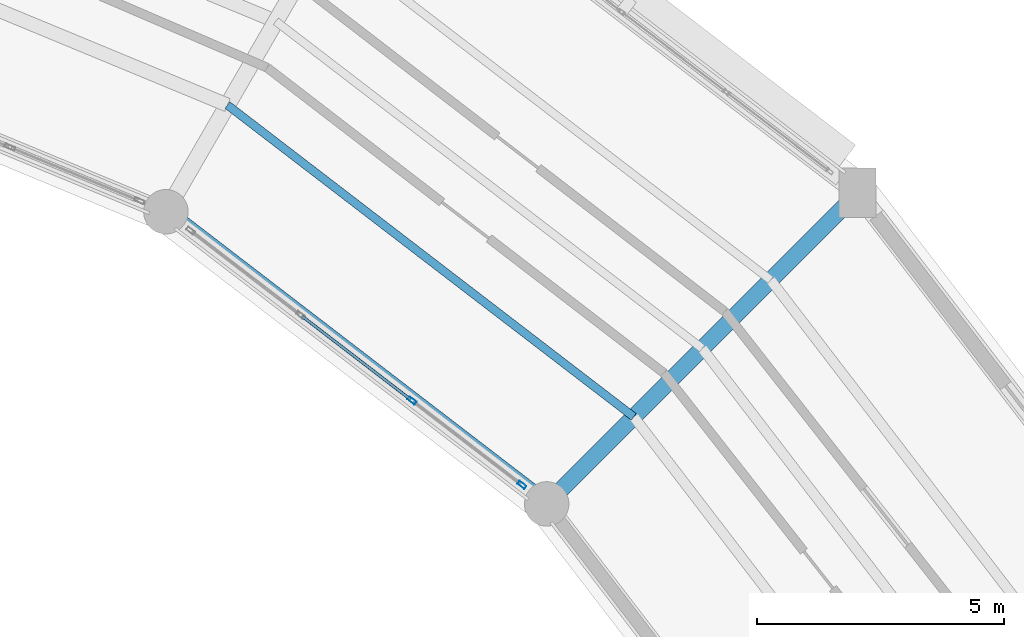
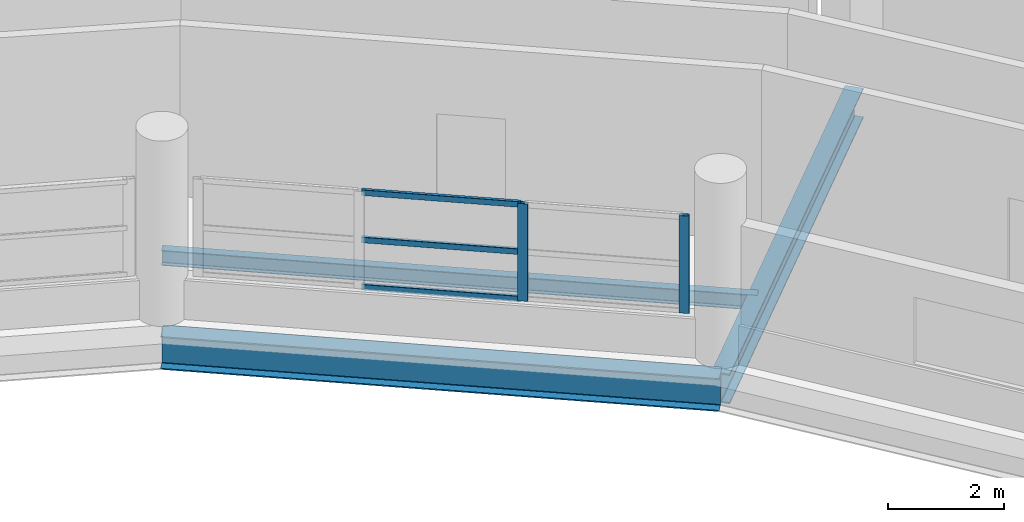
# One storey, part 69 of 108: 5 members, 3 beams, 1 element without a shape of its own.
"""IFC4 building model written with IfcOpenShell, lengths in metres."""

import ifcopenshell
import ifcopenshell.guid

model = None  # the IFC model being written
_history = None  # IfcOwnerHistory: only IFC2X3 demands one
_inside = {}  # id of a spatial element -> (the spatial element, [elements in it])
_under = {}  # id of a project, library or spatial element -> (it, [spatial elements below it])
_declared = {}  # id of a project -> (the project, [libraries it declares])
_typed = {}  # id of a type object -> (the type object, [elements of that type])
_made_of = {}  # id of a material, layer set ... -> (it, [elements and type objects made of it])


def new_model(schema):
    """Start an empty IFC model of exactly this schema.

    Asked for "IFC4X3", IfcOpenShell would pick the latest addendum, in which some entities
    have other attributes; the version numbers below select the first issue.
    IFC2X3 requires an IfcOwnerHistory on every rooted entity: one is made here for all.
    """
    global model, _history
    if schema == "IFC4X3":
        model = ifcopenshell.file(schema_version=(4, 3, 0, 0))
    else:
        model = ifcopenshell.file(schema=schema)
    _inside.clear()
    _under.clear()
    _declared.clear()
    _typed.clear()
    _made_of.clear()
    _history = None
    if model.schema == "IFC2X3":
        org = make("IfcOrganization", Name="unknown")
        user = make(
            "IfcPersonAndOrganization",
            ThePerson=make("IfcPerson", FamilyName="unknown"),
            TheOrganization=org,
        )
        app = make(
            "IfcApplication",
            ApplicationDeveloper=org,
            Version="unknown",
            ApplicationFullName="unknown",
            ApplicationIdentifier="unknown",
        )
        _history = make(
            "IfcOwnerHistory",
            OwningUser=user,
            OwningApplication=app,
            ChangeAction="ADDED",
            CreationDate=0,
        )
    return model


def make(cls, **values):
    """One entity of the class cls with the attributes given. An attribute that is None is left unset."""
    return model.create_entity(
        cls, **{name: value for name, value in values.items() if value is not None}
    )


def rooted(cls, **values):
    """An entity with a GlobalId (a new one), such as an element, a storey or a relation."""
    return make(cls, GlobalId=ifcopenshell.guid.new(), OwnerHistory=_history, **values)


def si_unit(unit_type, name, prefix=None):
    """IfcSIUnit, for example si_unit("LENGTHUNIT", "METRE", prefix="MILLI")."""
    return make("IfcSIUnit", UnitType=unit_type, Prefix=prefix, Name=name)


def assignment(units):
    """IfcUnitAssignment: the units of a project."""
    return None if units is None else make("IfcUnitAssignment", Units=units)


def point(xyz):
    """IfcCartesianPoint."""
    return None if xyz is None else make("IfcCartesianPoint", Coordinates=xyz)


def direction(xyz):
    """IfcDirection."""
    return None if xyz is None else make("IfcDirection", DirectionRatios=xyz)


def frame(location, z_axis=None, x_axis=None):
    """IfcAxis2Placement3D, a coordinate frame: its origin and axes. An axis left out is left unset."""
    return make(
        "IfcAxis2Placement3D",
        Location=point(location),
        Axis=direction(z_axis),
        RefDirection=direction(x_axis),
    )


def frame_2d(location, x_axis=None):
    """IfcAxis2Placement2D, a coordinate frame in the plane: its origin and x axis."""
    return make(
        "IfcAxis2Placement2D", Location=point(location), RefDirection=direction(x_axis)
    )


def origin():
    """The frame at (0, 0, 0) with its axes left unset."""
    return frame((0.0, 0.0, 0.0))


def origin_2d():
    """The frame at (0, 0) in the plane with its x axis left unset."""
    return frame_2d((0.0, 0.0))


def place(relative_to, where):
    """IfcLocalPlacement: puts the frame where relative to a parent placement (None: the world)."""
    return make(
        "IfcLocalPlacement", PlacementRelTo=relative_to, RelativePlacement=where
    )


def context(
    kind, dimensions, precision=None, world=None, true_north=None, identifier=None
):
    """IfcGeometricRepresentationContext, for example the 3D "Model" context."""
    return make(
        "IfcGeometricRepresentationContext",
        ContextIdentifier=identifier,
        ContextType=kind,
        CoordinateSpaceDimension=dimensions,
        Precision=precision,
        WorldCoordinateSystem=world,
        TrueNorth=true_north,
    )


def subcontext(parent, identifier, kind, view, scale=None):
    """IfcGeometricRepresentationSubContext, for example "Body" below "Model"."""
    return make(
        "IfcGeometricRepresentationSubContext",
        ContextIdentifier=identifier,
        ContextType=kind,
        ParentContext=parent,
        TargetScale=scale,
        TargetView=view,
    )


def project(units=None, contexts=None):
    """IfcProject with its units and contexts."""
    return rooted(
        "IfcProject",
        Name="project",
        RepresentationContexts=contexts,
        UnitsInContext=assignment(units),
    )


def spatial(cls, under=None, at=None, **own):
    """A site, building, storey or space (cls), placed at a placement, below another one or the project."""
    s = rooted(cls, ObjectPlacement=at, **own)
    if under is not None:
        _under.setdefault(under.id(), (under, []))[1].append(s)
    return s


def profile(cls, at=None, kind="AREA", **sizes):
    """A parametric profile (cls). Its sizes go by their IFC names, for example OverallWidth=200.0."""
    return make(cls, ProfileType=kind, Position=at, **sizes)


def hollow_rectangle(**sizes):
    """IfcRectangleHollowProfileDef."""
    return profile("IfcRectangleHollowProfileDef", **sizes)


def i_section(**sizes):
    """IfcIShapeProfileDef."""
    return profile("IfcIShapeProfileDef", **sizes)


def extrude(swept, where, along, depth):
    """IfcExtrudedAreaSolid: the profile swept, set in the frame where, extruded along a direction by depth."""
    return make(
        "IfcExtrudedAreaSolid",
        SweptArea=swept,
        Position=where,
        ExtrudedDirection=direction(along),
        Depth=depth,
    )


def shape(context_of_items, identifier, shape_type, items):
    """IfcShapeRepresentation: the items that make up one representation, for example the "Body"."""
    return make(
        "IfcShapeRepresentation",
        ContextOfItems=context_of_items,
        RepresentationIdentifier=identifier,
        RepresentationType=shape_type,
        Items=items,
    )


def material(Name=None, Category=None):
    """IfcMaterial."""
    return make("IfcMaterial", Name=Name, Category=Category)


def layer(
    of_material, thickness, ventilated=None, Name=None, Category=None, Priority=None
):
    """IfcMaterialLayer: one layer of a wall or slab, of a material (None: an air gap)."""
    return make(
        "IfcMaterialLayer",
        Material=of_material,
        LayerThickness=thickness,
        IsVentilated=ventilated,
        Name=Name,
        Category=Category,
        Priority=Priority,
    )


def layer_set(layers, Name=None):
    """IfcMaterialLayerSet."""
    return make("IfcMaterialLayerSet", MaterialLayers=layers, LayerSetName=Name)


def material_profile(
    of_material, cross_section, Name=None, Category=None, Priority=None
):
    """IfcMaterialProfile: a cross section and its material."""
    return make(
        "IfcMaterialProfile",
        Name=Name,
        Material=of_material,
        Profile=cross_section,
        Priority=Priority,
        Category=Category,
    )


def profile_set(profiles, Name=None, composite=None):
    """IfcMaterialProfileSet."""
    return make(
        "IfcMaterialProfileSet",
        Name=Name,
        MaterialProfiles=profiles,
        CompositeProfile=composite,
    )


def made_of(thing, what):
    """Note that an element or type object is made of a material, layer set ...; save() writes the relation."""
    if what is not None:
        _made_of.setdefault(what.id(), (what, []))[1].append(thing)
    return thing


def type_object(cls, material=None, **own):
    """A type object (cls), such as IfcWallType, which elements share."""
    return made_of(rooted(cls, **own), material)


def element(
    cls,
    number,
    at=None,
    inside=None,
    cuts=None,
    type_object=None,
    material=None,
    context=None,
    identifier="Body",
    shape_type=None,
    held_by="IfcProductDefinitionShape",
    body=None,
    shapes=None,
    **own,
):
    """One element of the class cls, such as IfcWall. Its Tag is "e" and its number.

    at: its placement. inside: the storey or other place that contains it. cuts: it is an
    opening in that element (IfcRelVoidsElement). A single representation is given by context,
    identifier, shape_type and body (its items); several are given by shapes. held_by: the class
    of the entity that holds the representations. save() writes the other relations.
    """
    e = rooted(cls, Tag="e%d" % number, ObjectPlacement=at, **own)
    if body is not None:
        shapes = [shape(context, identifier, shape_type, body)]
    if shapes is not None:
        e.Representation = make(held_by, Representations=shapes)
    if inside is not None:
        _inside.setdefault(inside.id(), (inside, []))[1].append(e)
    if cuts is not None:
        rooted(
            "IfcRelVoidsElement", RelatingBuildingElement=cuts, RelatedOpeningElement=e
        )
    if type_object is not None:
        _typed.setdefault(type_object.id(), (type_object, []))[1].append(e)
    return made_of(e, material)


def aggregate(whole, parts):
    """IfcRelAggregates: a whole, such as a stair, and the parts it consists of."""
    return rooted("IfcRelAggregates", RelatingObject=whole, RelatedObjects=parts)


def save(model, path):
    """Write the relations noted so far, then the file.

    IfcRelAggregates (storeys below a building ...), IfcRelContainedInSpatialStructure (elements
    in a storey), IfcRelDefinesByType, IfcRelAssociatesMaterial and IfcRelDeclares: one each for
    every whole, place, type object, material and project.
    """
    for whole, parts in _under.values():
        aggregate(whole, parts)
    for where, things in _inside.values():
        rooted(
            "IfcRelContainedInSpatialStructure",
            RelatedElements=things,
            RelatingStructure=where,
        )
    for kind, things in _typed.values():
        rooted("IfcRelDefinesByType", RelatedObjects=things, RelatingType=kind)
    for what, things in _made_of.values():
        rooted("IfcRelAssociatesMaterial", RelatedObjects=things, RelatingMaterial=what)
    for by, libraries in _declared.values():
        rooted("IfcRelDeclares", RelatingContext=by, RelatedDefinitions=libraries)
    model.write(path)


model = new_model("IFC4")

# Units and contexts
model_context = context("Model", 3, precision=1e-05, world=origin(), true_north=direction((0.0, 1.0)))
body_context = subcontext(model_context, "Body", "Model", "MODEL_VIEW")
ifc_project = project(units=[si_unit("LENGTHUNIT", "METRE"), si_unit("AREAUNIT", "SQUARE_METRE"), si_unit("VOLUMEUNIT", "CUBIC_METRE"), si_unit("PLANEANGLEUNIT", "RADIAN"), si_unit("MASSUNIT", "GRAM", prefix="KILO")], contexts=[model_context])

# Site, building, storey
site_placement = place(None, origin())
site = spatial("IfcSite", under=ifc_project, at=site_placement, CompositionType="ELEMENT")
building_placement = place(site_placement, origin())
building = spatial("IfcBuilding", under=site, at=building_placement, Name="Vespera Passage Community Centre", CompositionType="ELEMENT")
storey_placement = place(building_placement, frame((0.0, 0.0, 12.60009765625)))
storey = spatial("IfcBuildingStorey", under=building, at=storey_placement, Name="L03", CompositionType="ELEMENT", Elevation=12.60009765625)

# Beams
ifc_material_1 = material(Name="Steel ASTM A992 Grade 50", Category="steel")
ifc_material_profile_1 = material_profile(ifc_material_1, i_section(OverallWidth=0.32763671875, OverallDepth=0.62841796875, WebThickness=0.0166015625, FlangeThickness=0.027587890625, FilletRadius=0.0126953125, at=origin_2d()), Name="W24X146")
ifc_profile_set_1 = profile_set([ifc_material_profile_1], Name="Steel ASTM A992 Grade 50")
beam_type_1 = type_object("IfcBeamType", Name="BM-G-W24X146", PredefinedType="BEAM", material=ifc_profile_set_1)
beam_1_placement = place(storey_placement, frame((104.304443359375, 91.804443359375, -0.71435546875), z_axis=(0.707106781187, 0.707106781187, 0.0), x_axis=(-0.707106781187, 0.707106781187, 0.0)))
element("IfcBeam", 1, at=beam_1_placement, inside=storey, type_object=beam_type_1, Name="V4 L03 Radial Girder 3", PredefinedType="BEAM", context=body_context, shape_type="SweptSolid", body=[
    extrude(i_section(OverallWidth=0.32763671875, OverallDepth=0.62841796875, WebThickness=0.0166015625, FlangeThickness=0.027587890625, FilletRadius=0.0126953125, at=origin_2d()), origin(), (0.0, 0.0, 1.0), 8.89990234375),
])
ifc_material_2 = material(Name="Steel ASTM A992 Grade 50", Category="steel")
ifc_material_profile_2 = material_profile(ifc_material_2, i_section(OverallWidth=0.16650390625, OverallDepth=0.3173828125, WebThickness=0.007568359375, FlangeThickness=0.01318359375, FilletRadius=0.007568359375, at=origin_2d()), Name="W12X35")
ifc_profile_set_2 = profile_set([ifc_material_profile_2], Name="Steel ASTM A992 Grade 50")
beam_type_2 = type_object("IfcBeamType", Name="BM-J-W12X35", PredefinedType="JOIST", material=ifc_profile_set_2)
beam_2_placement = place(storey_placement, frame((106.06640625, 93.56640625, -0.558837890625), z_axis=(-0.793349551049, 0.608766367214, 0.0), x_axis=(-0.608766367214, -0.793349551049, 0.0)))
element("IfcBeam", 2, at=beam_2_placement, inside=storey, type_object=beam_type_2, Name="V4 L03 Floor Joist 3.1", PredefinedType="JOIST", context=body_context, shape_type="SweptSolid", body=[
    extrude(i_section(OverallWidth=0.16650390625, OverallDepth=0.3173828125, WebThickness=0.007568359375, FlangeThickness=0.01318359375, FilletRadius=0.007568359375, at=origin_2d()), origin(), (0.0, 0.0, 1.0), 10.36181640625),
])
ifc_material_3 = material(Name="Steel ASTM A992 Grade 50", Category="steel")
ifc_material_profile_3 = material_profile(ifc_material_3, i_section(OverallWidth=0.3544921875, OverallDepth=0.695556640625, WebThickness=0.015380859375, FlangeThickness=0.024658203125, FilletRadius=0.01513671875, at=origin_2d()), Name="W27X146")
ifc_profile_set_3 = profile_set([ifc_material_profile_3], Name="Steel ASTM A992 Grade 50")
beam_type_3 = type_object("IfcBeamType", Name="BM-SP-W27X146E", PredefinedType="SPANDREL", material=ifc_profile_set_3)
beam_3_placement = place(storey_placement, frame((104.304443359375, 91.804443359375, -0.747802734375), z_axis=(-0.793359869694, 0.60875291963, 0.0), x_axis=(-0.60875291963, -0.793359869694, 0.0)))
element("IfcBeam", 3, at=beam_3_placement, inside=storey, type_object=beam_type_3, Name="V4 L03 Inner Spandrel 3", PredefinedType="SPANDREL", context=body_context, shape_type="SweptSolid", body=[
    extrude(i_section(OverallWidth=0.3544921875, OverallDepth=0.695556640625, WebThickness=0.015380859375, FlangeThickness=0.024658203125, FilletRadius=0.01513671875, at=origin_2d()), origin(), (0.0, 0.0, 1.0), 9.7109375),
])

# Curtain wall, members
ifc_material_4 = material(Name="Anodized aluminium 6063-T6", Category="aluminium")
ifc_layer = layer(ifc_material_4, 0.159912109375)
ifc_layer_set = layer_set([ifc_layer], Name="Anodized aluminium 6063-T6")
curtain_wall_type = type_object("IfcCurtainWallType", Name="CW-38E", PredefinedType="NOTDEFINED", material=ifc_layer_set)
curtain_wall_placement = place(storey_placement, origin())
curtain_wall = element("IfcCurtainWall", 4, at=curtain_wall_placement, inside=storey, type_object=curtain_wall_type, Name="V4 L03 Inner Court Curtain Wall 3", PredefinedType="NOTDEFINED")
ifc_material_5 = material(Name="Anodized aluminium 6063-T6", Category="aluminium")
ifc_material_profile_4 = material_profile(ifc_material_5, hollow_rectangle(XDim=0.074951171875, YDim=0.179931640625, WallThickness=0.0048828125, InnerFilletRadius=0.00244140625, OuterFilletRadius=0.0048828125, at=origin_2d()), Name="ALU180X75X5")
ifc_profile_set_4 = profile_set([ifc_material_profile_4], Name="Anodized aluminium 6063-T6")
member_type_1 = type_object("IfcMemberType", Name="MB-CWM-180E", PredefinedType="MULLION", material=ifc_profile_set_4)
member_1_placement = place(storey_placement, frame((103.803955078125, 92.188232421875, 0.81982421875), z_axis=(0.0, 0.0, 1.0), x_axis=(-0.608755087843, -0.793358205999, 0.0)))
member_1 = element("IfcMember", 5, at=member_1_placement, type_object=member_type_1, Name="CW-38E mullion 1", PredefinedType="MULLION", context=body_context, shape_type="SweptSolid", body=[
    extrude(hollow_rectangle(XDim=0.074951171875, YDim=0.179931640625, WallThickness=0.0048828125, InnerFilletRadius=0.00244140625, OuterFilletRadius=0.0048828125, at=origin_2d()), origin(), (0.0, 0.0, 1.0), 2.049560546875),
])
member_2_placement = place(storey_placement, frame((101.579345703125, 93.895263671875, 0.81982421875), z_axis=(0.0, 0.0, 1.0), x_axis=(-0.608755087843, -0.793358205999, 0.0)))
member_2 = element("IfcMember", 6, at=member_2_placement, type_object=member_type_1, Name="CW-38E mullion 2", PredefinedType="MULLION", context=body_context, shape_type="SweptSolid", body=[
    extrude(hollow_rectangle(XDim=0.074951171875, YDim=0.179931640625, WallThickness=0.0048828125, InnerFilletRadius=0.00244140625, OuterFilletRadius=0.0048828125, at=origin_2d()), origin(), (0.0, 0.0, 1.0), 2.049560546875),
])
ifc_material_6 = material(Name="Anodized aluminium 6063-T6", Category="aluminium")
ifc_material_profile_5 = material_profile(ifc_material_6, hollow_rectangle(XDim=0.06005859375, YDim=0.1201171875, WallThickness=0.00390625, InnerFilletRadius=0.001953125, OuterFilletRadius=0.00390625, at=origin_2d()), Name="ALU120X60X4")
ifc_profile_set_5 = profile_set([ifc_material_profile_5], Name="Anodized aluminium 6063-T6")
member_type_2 = type_object("IfcMemberType", Name="MB-CWT-120E", PredefinedType="USERDEFINED", material=ifc_profile_set_5)
member_3_placement = place(storey_placement, frame((101.549560546875, 93.918212890625, 0.849853515625), z_axis=(-0.793364831796, 0.608746452695, 0.0), x_axis=(-0.608746452695, -0.793364831796, 0.0)))
member_3 = element("IfcMember", 7, at=member_3_placement, type_object=member_type_2, Name="CW-38E transom 2.1", ObjectType="TRANSOM", PredefinedType="USERDEFINED", context=body_context, shape_type="SweptSolid", body=[
    extrude(hollow_rectangle(XDim=0.06005859375, YDim=0.1201171875, WallThickness=0.00390625, InnerFilletRadius=0.001953125, OuterFilletRadius=0.00390625, at=origin_2d()), origin(), (0.0, 0.0, 1.0), 2.766357421875),
])
member_4_placement = place(storey_placement, frame((101.549560546875, 93.918212890625, 1.844482421875), z_axis=(-0.793364831796, 0.608746452695, 0.0), x_axis=(-0.608746452695, -0.793364831796, 0.0)))
member_4 = element("IfcMember", 8, at=member_4_placement, type_object=member_type_2, Name="CW-38E transom 2.2", ObjectType="TRANSOM", PredefinedType="USERDEFINED", context=body_context, shape_type="SweptSolid", body=[
    extrude(hollow_rectangle(XDim=0.06005859375, YDim=0.1201171875, WallThickness=0.00390625, InnerFilletRadius=0.001953125, OuterFilletRadius=0.00390625, at=origin_2d()), origin(), (0.0, 0.0, 1.0), 2.766357421875),
])
member_5_placement = place(storey_placement, frame((101.549560546875, 93.918212890625, 2.83935546875), z_axis=(-0.793364831796, 0.608746452695, 0.0), x_axis=(-0.608746452695, -0.793364831796, 0.0)))
member_5 = element("IfcMember", 9, at=member_5_placement, type_object=member_type_2, Name="CW-38E transom 2.3", ObjectType="TRANSOM", PredefinedType="USERDEFINED", context=body_context, shape_type="SweptSolid", body=[
    extrude(hollow_rectangle(XDim=0.06005859375, YDim=0.1201171875, WallThickness=0.00390625, InnerFilletRadius=0.001953125, OuterFilletRadius=0.00390625, at=origin_2d()), origin(), (0.0, 0.0, 1.0), 2.766357421875),
])
aggregate(curtain_wall, [member_1, member_2, member_3, member_4, member_5])

save(model, "model.ifc")
